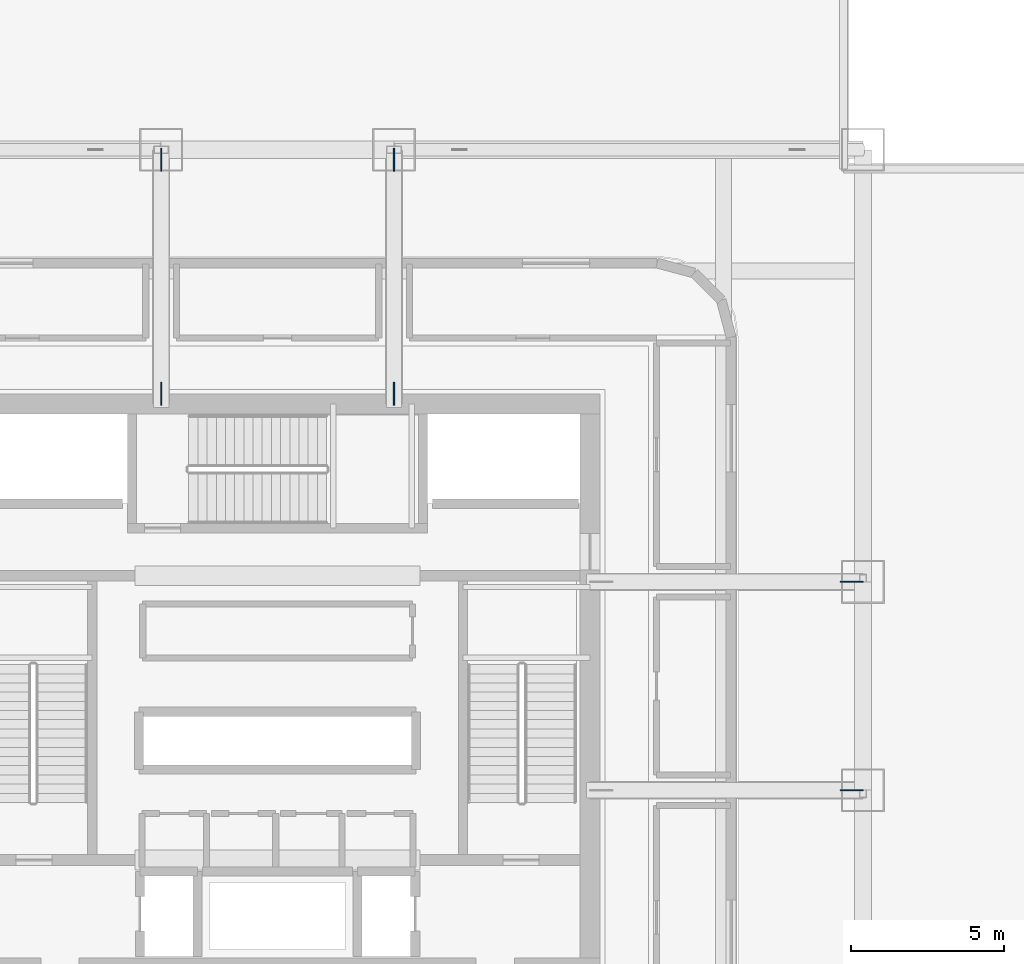
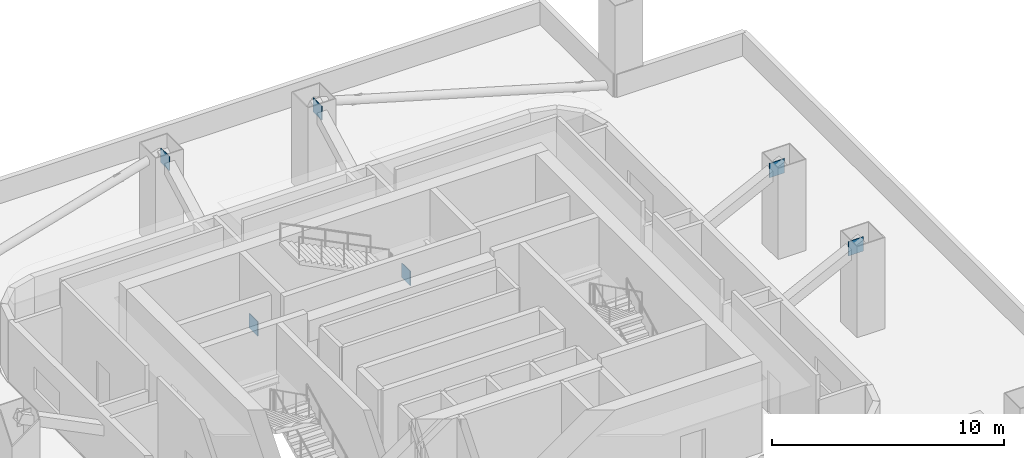
# One storey, part 2 of 10: 6 plates.
"""IFC4 building model written with IfcOpenShell, lengths in metres."""

from ifc_helpers import new_model, si_unit, direction, frame, origin, origin_2d, place, context, subcontext, project, spatial, rectangle, extrude, material, layer, layer_set, type_object, element, save


model = new_model("IFC4")

# Units and contexts
model_context = context("Model", 3, precision=1e-05, world=origin(), true_north=direction((0.0, 1.0)))
body_context = subcontext(model_context, "Body", "Model", "MODEL_VIEW")
ifc_project = project(units=[si_unit("LENGTHUNIT", "METRE"), si_unit("AREAUNIT", "SQUARE_METRE"), si_unit("VOLUMEUNIT", "CUBIC_METRE"), si_unit("PLANEANGLEUNIT", "RADIAN"), si_unit("MASSUNIT", "GRAM", prefix="KILO")], contexts=[model_context])

# Site, building, storey
site_placement = place(None, origin())
site = spatial("IfcSite", under=ifc_project, at=site_placement, CompositionType="ELEMENT")
building_placement = place(site_placement, origin())
building = spatial("IfcBuilding", under=site, at=building_placement, Name="Punatoya Terracotta Tower", CompositionType="ELEMENT")
storey_placement = place(building_placement, frame((0.0, 0.0, 125.39990234375)))
storey = spatial("IfcBuildingStorey", under=building, at=storey_placement, Name="L29", CompositionType="ELEMENT", Elevation=125.39990234375)

# Plates
ifc_material = material(Name="Steel S460", Category="steel")
ifc_layer = layer(ifc_material, 0.035888671875)
ifc_layer_set = layer_set([ifc_layer], Name="Steel S460")
plate_type = type_object("IfcPlateType", Name="PLT-GUS-36", PredefinedType="USERDEFINED", material=ifc_layer_set)
for number, where, z_axis, x_axis, name in (
    (1, (18.743896484375, -3.39990234375, 3.907470703125), (0.0, 0.0, 1.0), (1.0, 0.0, 0.0), "L29 Outrigger Mega-Column Gusset Plate ES"),
    (2, (18.743896484375, 3.39990234375, 3.907470703125), (0.0, 0.0, 1.0), (1.0, 0.0, 0.0), "L29 Outrigger Mega-Column Gusset Plate EN"),
    (3, (-3.800048828125, 9.531982421875, -0.17724609375), (0.0, 0.0, 1.0), (0.0, 1.0, 0.0), "L29 Outrigger Core Gusset Plate NW"),
    (4, (-3.800048828125, 17.16796875, 3.907470703125), (0.0, 0.0, 1.0), (0.0, 1.0, 0.0), "L29 Outrigger Mega-Column Gusset Plate NW"),
    (5, (3.800048828125, 9.531982421875, -0.17724609375), (0.0, 0.0, 1.0), (0.0, 1.0, 0.0), "L29 Outrigger Core Gusset Plate NE"),
    (6, (3.800048828125, 17.16796875, 3.907470703125), (0.0, 0.0, 1.0), (0.0, 1.0, 0.0), "L29 Outrigger Mega-Column Gusset Plate NE"),
):
    element("IfcPlate", number, at=place(storey_placement, frame(where, z_axis=z_axis, x_axis=x_axis)), inside=storey, type_object=plate_type, Name=name, ObjectType="GUSSET_PLATE", PredefinedType="USERDEFINED", context=body_context, shape_type="SweptSolid", body=[
        extrude(rectangle(XDim=0.75, YDim=0.035888671875, at=origin_2d()), origin(), (0.0, 0.0, 1.0), 0.75),
    ])

save(model, "model.ifc")
